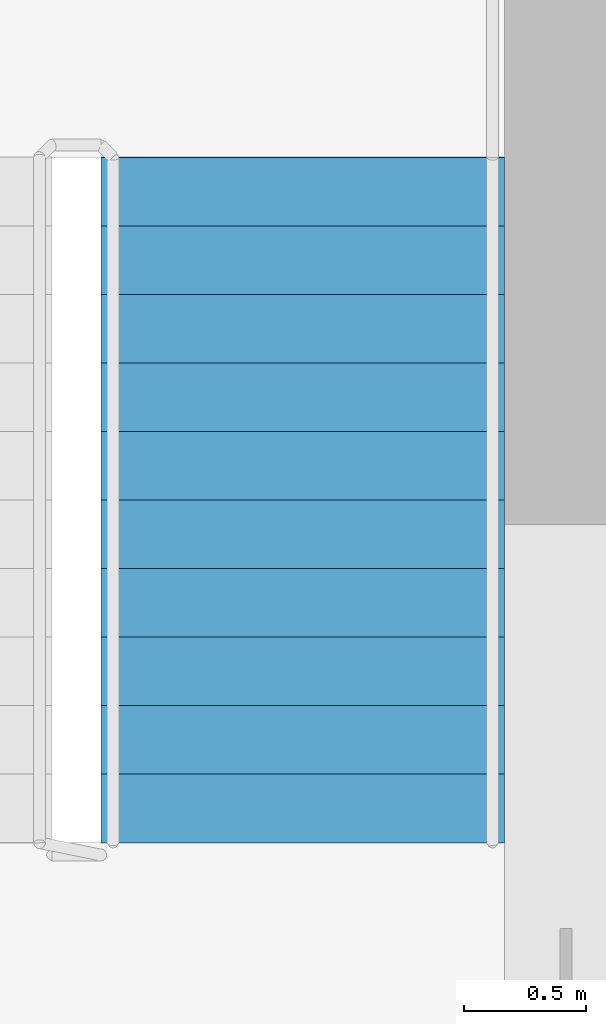
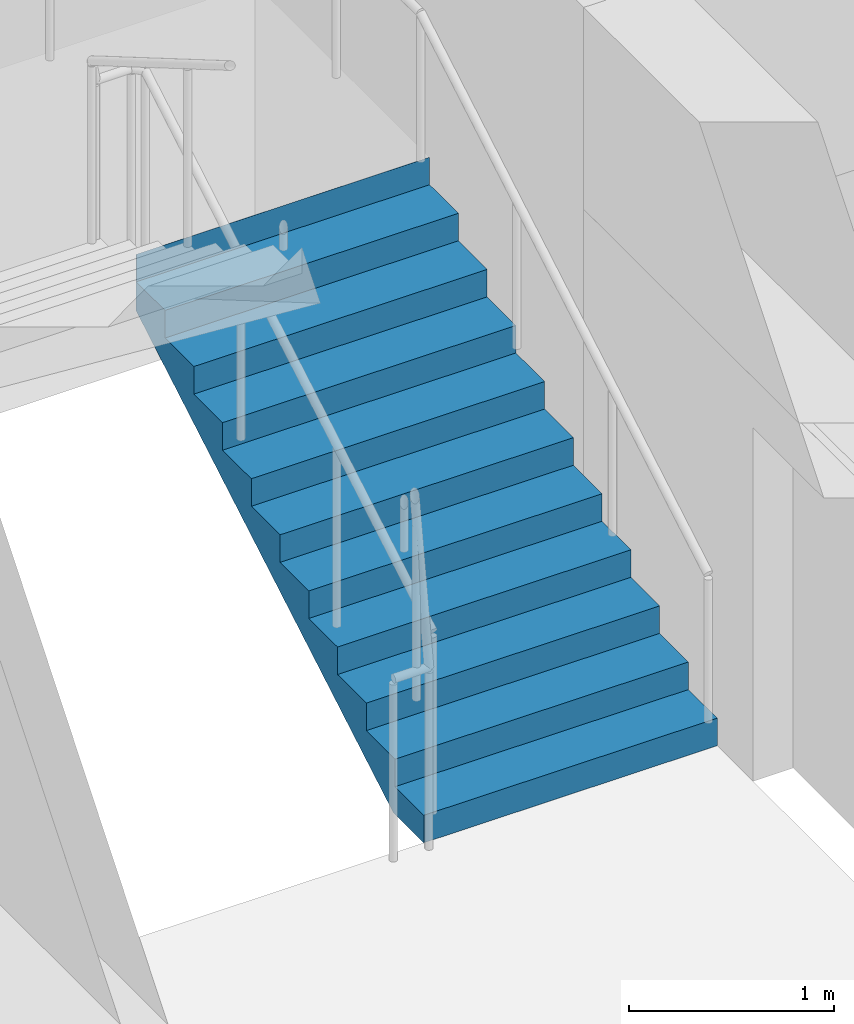
# One storey, part 13 of 14: 1 stair flight, 1 element without a shape of its own.
"""IFC4 building model written with IfcOpenShell, lengths in metres."""

from ifc_helpers import new_model, si_unit, direction, frame, origin, place, context, subcontext, project, spatial, polyline, outline, extrude, material, type_object, element, aggregate, save


model = new_model("IFC4")

# Units and contexts
model_context = context("Model", 3, precision=1e-05, world=origin(), true_north=direction((0.0, 1.0)))
body_context = subcontext(model_context, "Body", "Model", "MODEL_VIEW")
ifc_project = project(units=[si_unit("LENGTHUNIT", "METRE"), si_unit("AREAUNIT", "SQUARE_METRE"), si_unit("VOLUMEUNIT", "CUBIC_METRE"), si_unit("PLANEANGLEUNIT", "RADIAN"), si_unit("MASSUNIT", "GRAM", prefix="KILO")], contexts=[model_context])

# Site, building, storey
site_placement = place(None, origin())
site = spatial("IfcSite", under=ifc_project, at=site_placement, CompositionType="ELEMENT")
building_placement = place(site_placement, origin())
building = spatial("IfcBuilding", under=site, at=building_placement, Name="Tamorin Gate", CompositionType="ELEMENT")
storey_placement = place(building_placement, frame((0.0, 0.0, 133.800048828125)))
storey = spatial("IfcBuildingStorey", under=building, at=storey_placement, Name="L32", CompositionType="ELEMENT", Elevation=133.800048828125)

# Stair, stair flight
ifc_material = material(Name="Concrete C40/50", Category="concrete")
stair_type = type_object("IfcStairType", Name="Exit stair", PredefinedType="HALF_TURN_STAIR", material=ifc_material)
stair_placement = place(storey_placement, origin())
stair = element("IfcStair", 1, at=stair_placement, inside=storey, type_object=stair_type, Name="L32 stair ST2", PredefinedType="HALF_TURN_STAIR")
stair_flight_type = type_object("IfcStairFlightType", Name="Exit stair flight", PredefinedType="STRAIGHT", material=ifc_material)
stair_flight_placement = place(storey_placement, frame((33.675048828125, 77.0, 0.0), z_axis=(0.0, 0.0, 1.0), x_axis=(0.0, 1.0, 0.0)))
stair_flight = element("IfcStairFlight", 2, at=stair_flight_placement, type_object=stair_flight_type, Name="ST2 flight 1", NumberOfRisers=11, NumberOfTreads=10, PredefinedType="STRAIGHT", RiserHeight=0.163636364, TreadLength=0.28, context=body_context, shape_type="SweptSolid", body=[
    extrude(outline(polyline([(-0.00048828125, 0.0), (-0.00048828125, 0.001708984375), (-0.00048828125, 0.003173828125), (-0.00048828125, 0.0048828125), (-0.00048828125, 0.006591796875), (-0.00048828125, 0.008056640625), (-0.00048828125, 0.009765625), (-0.00048828125, 0.01123046875), (-0.00048828125, 0.012939453125), (-0.00048828125, 0.0146484375), (-0.00048828125, 0.01611328125), (-0.00048828125, 0.017822265625), (-0.00048828125, 0.01953125), (-0.00048828125, 0.02099609375), (-0.00048828125, 0.022705078125), (-0.00048828125, 0.0244140625), (-0.00048828125, 0.02587890625), (-0.00048828125, 0.027587890625), (-0.00048828125, 0.029052734375), (-0.00048828125, 0.03076171875), (-0.00048828125, 0.032470703125), (-0.00048828125, 0.033935546875), (-0.00048828125, 0.03564453125), (-0.00048828125, 0.037353515625), (-0.00048828125, 0.038818359375), (-0.00048828125, 0.04052734375), (-0.00048828125, 0.042236328125), (-0.00048828125, 0.043701171875), (-0.00048828125, 0.04541015625), (-0.00048828125, 0.046875), (-0.00048828125, 0.048583984375), (-0.00048828125, 0.05029296875), (-0.00048828125, 0.0517578125), (-0.00048828125, 0.053466796875), (-0.00048828125, 0.05517578125), (-0.00048828125, 0.056640625), (-0.00048828125, 0.058349609375), (-0.00048828125, 0.06005859375), (-0.00048828125, 0.0615234375), (-0.00048828125, 0.063232421875), (-0.00048828125, 0.064697265625), (-0.00048828125, 0.06640625), (-0.00048828125, 0.068115234375), (-0.00048828125, 0.069580078125), (-0.00048828125, 0.0712890625), (-0.00048828125, 0.072998046875), (-0.00048828125, 0.074462890625), (-0.00048828125, 0.076171875), (-0.00048828125, 0.077880859375), (-0.00048828125, 0.079345703125), (-0.00048828125, 0.0810546875), (-0.00048828125, 0.08251953125), (-0.00048828125, 0.084228515625), (-0.00048828125, 0.0859375), (-0.00048828125, 0.08740234375), (-0.00048828125, 0.089111328125), (-0.00048828125, 0.0908203125), (-0.00048828125, 0.09228515625), (-0.00048828125, 0.093994140625), (-0.00048828125, 0.095703125), (-0.00048828125, 0.09716796875), (-0.00048828125, 0.098876953125), (-0.00048828125, 0.100341796875), (-0.00048828125, 0.10205078125), (-0.00048828125, 0.103759765625), (-0.00048828125, 0.105224609375), (-0.00048828125, 0.10693359375), (-0.00048828125, 0.108642578125), (-0.00048828125, 0.110107421875), (-0.00048828125, 0.11181640625), (-0.00048828125, 0.113525390625), (-0.00048828125, 0.114990234375), (-0.00048828125, 0.11669921875), (-0.00048828125, 0.1181640625), (-0.00048828125, 0.119873046875), (-0.00048828125, 0.12158203125), (-0.00048828125, 0.123046875), (-0.00048828125, 0.124755859375), (-0.00048828125, 0.12646484375), (-0.00048828125, 0.1279296875), (-0.00048828125, 0.129638671875), (-0.00048828125, 0.13134765625), (-0.00048828125, 0.1328125), (-0.00048828125, 0.134521484375), (-0.00048828125, 0.135986328125), (-0.00048828125, 0.1376953125), (-0.00048828125, 0.139404296875), (-0.00048828125, 0.140869140625), (-0.00048828125, 0.142578125), (-0.00048828125, 0.144287109375), (-0.00048828125, 0.145751953125), (-0.00048828125, 0.1474609375), (-0.00048828125, 0.149169921875), (-0.00048828125, 0.150634765625), (-0.00048828125, 0.15234375), (-0.00048828125, 0.15380859375), (-0.00048828125, 0.155517578125), (-0.00048828125, 0.1572265625), (-0.00048828125, 0.15869140625), (-0.00048828125, 0.160400390625), (-0.00048828125, 0.162109375), (-0.00048828125, 0.16357421875), (0.280029296875, 0.16357421875), (0.280029296875, 0.327392578125), (0.56005859375, 0.327392578125), (0.56005859375, 0.490966796875), (0.840087890625, 0.490966796875), (0.840087890625, 0.654541015625), (1.1201171875, 0.654541015625), (1.1201171875, 0.818115234375), (1.39990234375, 0.818115234375), (1.39990234375, 0.98193359375), (1.679931640625, 0.98193359375), (1.679931640625, 1.1455078125), (1.9599609375, 1.1455078125), (1.9599609375, 1.30908203125), (2.239990234375, 1.30908203125), (2.239990234375, 1.47265625), (2.52001953125, 1.47265625), (2.52001953125, 1.636474609375), (2.800048828125, 1.636474609375), (2.800048828125, 1.800048828125), (2.800537109375, 1.800048828125), (2.800537109375, 1.796630859375), (2.800537109375, 1.793212890625), (2.800537109375, 1.7900390625), (2.800537109375, 1.78662109375), (2.800537109375, 1.783203125), (2.800537109375, 1.780029296875), (2.800537109375, 1.776611328125), (2.800537109375, 1.773193359375), (2.800537109375, 1.77001953125), (2.800537109375, 1.7666015625), (2.800537109375, 1.76318359375), (2.800537109375, 1.760009765625), (2.800537109375, 1.756591796875), (2.800537109375, 1.753173828125), (2.800537109375, 1.75), (2.800537109375, 1.74658203125), (2.800537109375, 1.7431640625), (2.800537109375, 1.739990234375), (2.800537109375, 1.736572265625), (2.800537109375, 1.733154296875), (2.800537109375, 1.72998046875), (2.800537109375, 1.7265625), (2.800537109375, 1.72314453125), (2.800537109375, 1.719970703125), (2.800537109375, 1.716552734375), (2.800537109375, 1.713134765625), (2.800537109375, 1.7099609375), (2.800537109375, 1.70654296875), (2.800537109375, 1.703125), (2.800537109375, 1.69970703125), (2.800537109375, 1.696533203125), (2.800537109375, 1.693115234375), (2.800537109375, 1.689697265625), (2.800537109375, 1.6865234375), (2.800537109375, 1.68310546875), (2.800537109375, 1.6796875), (2.800537109375, 1.676513671875), (2.800537109375, 1.673095703125), (2.800537109375, 1.669677734375), (2.800537109375, 1.66650390625), (2.800537109375, 1.6630859375), (2.800537109375, 1.65966796875), (2.800537109375, 1.656494140625), (2.800537109375, 1.653076171875), (2.800537109375, 1.649658203125), (2.800537109375, 1.646484375), (2.800537109375, 1.64306640625), (2.800537109375, 1.6396484375), (2.800537109375, 1.636474609375), (2.800537109375, 1.633056640625), (2.800537109375, 1.629638671875), (2.800537109375, 1.62646484375), (2.800537109375, 1.623046875), (2.800537109375, 1.61962890625), (2.800537109375, 1.616455078125), (2.800537109375, 1.613037109375), (2.800537109375, 1.609619140625), (2.800537109375, 1.6064453125), (2.800537109375, 1.60302734375), (2.800537109375, 1.599609375), (2.800537109375, 1.59619140625), (2.800537109375, 1.593017578125), (2.800537109375, 1.589599609375), (2.800537109375, 1.586181640625), (2.800537109375, 1.5830078125), (2.800537109375, 1.57958984375), (2.800537109375, 1.576171875), (2.800537109375, 1.572998046875), (2.800537109375, 1.569580078125), (2.800537109375, 1.566162109375), (2.800537109375, 1.56298828125), (2.800537109375, 1.5595703125), (2.800537109375, 1.55615234375), (2.800537109375, 1.552978515625), (2.800537109375, 1.549560546875), (2.800537109375, 1.546142578125), (2.800537109375, 1.54296875), (2.800537109375, 1.53955078125), (2.800537109375, 1.5361328125), (2.800537109375, 1.532958984375), (2.800537109375, 1.529541015625), (2.800537109375, 1.526123046875), (2.800537109375, 1.52294921875), (2.800537109375, 1.51953125), (2.800537109375, 1.51611328125), (2.800537109375, 1.512939453125), (2.800537109375, 1.509521484375), (2.800537109375, 1.506103515625), (2.800537109375, 1.5029296875), (2.800537109375, 1.49951171875), (2.800537109375, 1.49609375), (2.800537109375, 1.49267578125), (2.800537109375, 1.489501953125), (2.800537109375, 1.486083984375), (2.800537109375, 1.482666015625), (2.800537109375, 1.4794921875), (2.800537109375, 1.47607421875), (2.800537109375, 1.47265625), (2.800537109375, 1.469482421875), (2.800537109375, 1.466064453125), (2.800537109375, 1.462646484375), (2.800048828125, 1.462646484375), (0.297119140625, 0.0), (-0.00048828125, 0.0)])), frame((0.0, 0.824951171875, 0.0), z_axis=(0.0, -1.0, 0.0), x_axis=(1.0, 0.0, 0.0)), (0.0, 0.0, 1.0), 1.64990234375),
])
aggregate(stair, [stair_flight])

save(model, "model.ifc")
